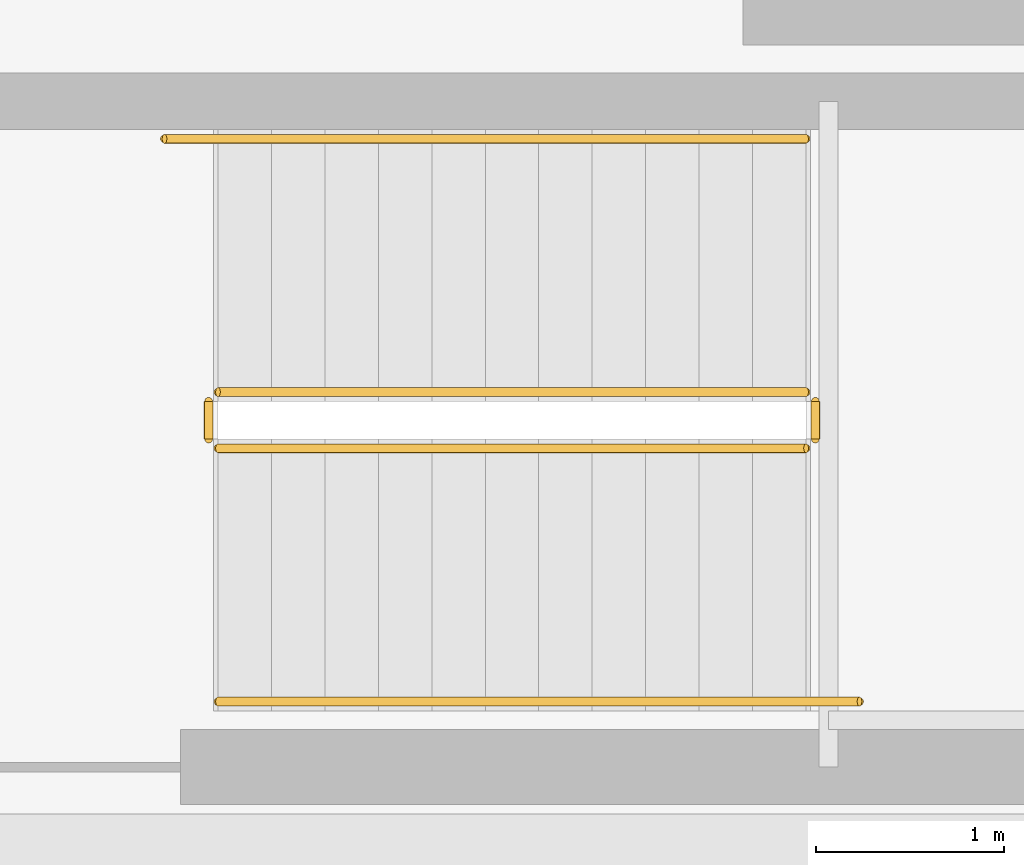
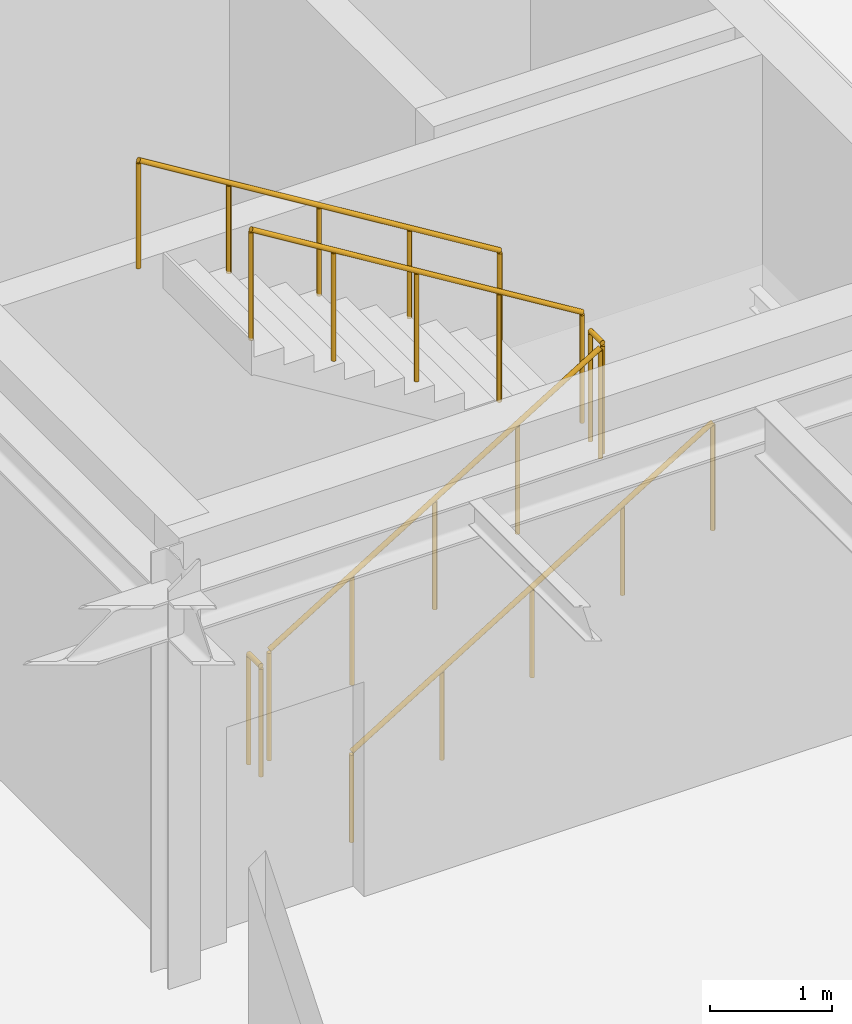
# One storey, part 26 of 27: 6 railings.
"""IFC4 building model written with IfcOpenShell, lengths in metres."""

from ifc_helpers import new_model, si_unit, direction, frame, origin, origin_2d, place, context, subcontext, project, spatial, circle, extrude, material, layer, layer_set, type_object, element, save


model = new_model("IFC4")

# Units and contexts
model_context = context("Model", 3, precision=1e-05, world=origin(), true_north=direction((0.0, 1.0)))
body_context = subcontext(model_context, "Body", "Model", "MODEL_VIEW")
ifc_project = project(units=[si_unit("LENGTHUNIT", "METRE"), si_unit("AREAUNIT", "SQUARE_METRE"), si_unit("VOLUMEUNIT", "CUBIC_METRE"), si_unit("PLANEANGLEUNIT", "RADIAN"), si_unit("MASSUNIT", "GRAM", prefix="KILO")], contexts=[model_context])

# Site, building, storey
site_placement = place(None, origin())
site = spatial("IfcSite", under=ifc_project, at=site_placement, CompositionType="ELEMENT")
building_placement = place(site_placement, origin())
building = spatial("IfcBuilding", under=site, at=building_placement, Name="Montealbar Specialist Clinic", CompositionType="ELEMENT")
storey_placement = place(building_placement, frame((0.0, 0.0, 18.0)))
storey = spatial("IfcBuildingStorey", under=building, at=storey_placement, Name="L04", CompositionType="ELEMENT", Elevation=18.0)

# Railings
ifc_material = material(Name="Steel S355", Category="steel")
ifc_layer_1 = layer(ifc_material, 0.050048828125, Name="Steel S355", Category="steel")
ifc_layer_set_1 = layer_set([ifc_layer_1], Name="Steel S355")
railing_type_1 = type_object("IfcRailingType", Name="RAIL-STAIR-BAL-1100", PredefinedType="BALUSTRADE", material=ifc_layer_set_1)
railing_1_placement = place(storey_placement, frame((92.85009765625, 29.10009765625, 0.175048828125)))
element("IfcRailing", 1, at=railing_1_placement, inside=storey, type_object=railing_type_1, Name="L04 ST-05 stair guard 1", PredefinedType="BALUSTRADE", context=body_context, shape_type="SweptSolid", body=[
    extrude(circle(Radius=0.02392578125, at=origin_2d()), frame((0.0, 0.0, 1.076171875), z_axis=(0.852166034122, 0.0, 0.523271488128), x_axis=(0.0, 1.0, 0.0)), (0.0, 0.0, 1.0), 3.678955078125),
    extrude(circle(Radius=0.02099609375, at=origin_2d()), frame((0.0, 0.0, -0.02490234375)), (0.0, 0.0, 1.0), 1.076904296875),
    extrude(circle(Radius=0.02099609375, at=origin_2d()), frame((0.78369140625, 0.0, 0.456298828125)), (0.0, 0.0, 1.0), 1.076904296875),
    extrude(circle(Radius=0.02099609375, at=origin_2d()), frame((1.5673828125, 0.0, 0.9375)), (0.0, 0.0, 1.0), 1.076904296875),
    extrude(circle(Radius=0.02099609375, at=origin_2d()), frame((2.351318359375, 0.0, 1.418701171875)), (0.0, 0.0, 1.0), 1.076904296875),
    extrude(circle(Radius=0.02099609375, at=origin_2d()), frame((3.135009765625, 0.0, 1.900146484375)), (0.0, 0.0, 1.0), 1.076904296875),
])
railing_2_placement = place(storey_placement, frame((96.034912109375, 29.14990234375, 2.10009765625)))
element("IfcRailing", 2, at=railing_2_placement, inside=storey, type_object=railing_type_1, Name="L04 ST-05 stair guard 2", PredefinedType="BALUSTRADE", context=body_context, shape_type="SweptSolid", body=[
    extrude(circle(Radius=0.02392578125, at=origin_2d()), frame((0.0, 0.0, 1.076171875), z_axis=(0.0, 1.0, 0.0), x_axis=(-1.0, 0.0, 0.0)), (0.0, 0.0, 1.0), 0.2001953125),
    extrude(circle(Radius=0.02099609375, at=origin_2d()), frame((0.0, 0.0, -0.02490234375)), (0.0, 0.0, 1.0), 1.076904296875),
    extrude(circle(Radius=0.02099609375, at=origin_2d()), frame((0.0, 0.2001953125, -0.02490234375)), (0.0, 0.0, 1.0), 1.076904296875),
])
railing_3_placement = place(storey_placement, frame((95.985107421875, 29.39990234375, 2.27490234375)))
element("IfcRailing", 3, at=railing_3_placement, inside=storey, type_object=railing_type_1, Name="L04 ST-05 stair guard 3", PredefinedType="BALUSTRADE", context=body_context, shape_type="SweptSolid", body=[
    extrude(circle(Radius=0.02392578125, at=origin_2d()), frame((0.0, 0.0, 1.076171875), z_axis=(-0.852166034122, 0.0, 0.523271488128), x_axis=(0.0, -1.0, 0.0)), (0.0, 0.0, 1.0), 3.678955078125),
    extrude(circle(Radius=0.02099609375, at=origin_2d()), frame((0.0, 0.0, -0.02490234375)), (0.0, 0.0, 1.0), 1.076904296875),
    extrude(circle(Radius=0.02099609375, at=origin_2d()), frame((-0.78369140625, 0.0, 0.456298828125)), (0.0, 0.0, 1.0), 1.076904296875),
    extrude(circle(Radius=0.02099609375, at=origin_2d()), frame((-1.5673828125, 0.0, 0.9375)), (0.0, 0.0, 1.0), 1.076904296875),
    extrude(circle(Radius=0.02099609375, at=origin_2d()), frame((-2.351318359375, 0.0, 1.418701171875)), (0.0, 0.0, 1.0), 1.076904296875),
    extrude(circle(Radius=0.02099609375, at=origin_2d()), frame((-3.135009765625, 0.0, 1.900146484375)), (0.0, 0.0, 1.0), 1.076904296875),
])
railing_4_placement = place(storey_placement, frame((92.800048828125, 29.14990234375, 0.0)))
element("IfcRailing", 4, at=railing_4_placement, inside=storey, type_object=railing_type_1, Name="L04 ST-05 stair guard 4", PredefinedType="BALUSTRADE", context=body_context, shape_type="SweptSolid", body=[
    extrude(circle(Radius=0.02392578125, at=origin_2d()), frame((0.0, 0.0, 1.076171875), z_axis=(0.0, 1.0, 0.0), x_axis=(-1.0, 0.0, 0.0)), (0.0, 0.0, 1.0), 0.2001953125),
    extrude(circle(Radius=0.02099609375, at=origin_2d()), frame((0.0, 0.0, -0.02490234375)), (0.0, 0.0, 1.0), 1.076904296875),
    extrude(circle(Radius=0.02099609375, at=origin_2d()), frame((0.0, 0.2001953125, -0.02490234375)), (0.0, 0.0, 1.0), 1.076904296875),
])
ifc_layer_2 = layer(ifc_material, 0.044921875, Name="Steel S355", Category="steel")
ifc_layer_set_2 = layer_set([ifc_layer_2], Name="Steel S355")
railing_type_2 = type_object("IfcRailingType", Name="RAIL-STAIR-HR-900", PredefinedType="HANDRAIL", material=ifc_layer_set_2)
railing_5_placement = place(storey_placement, frame((92.85009765625, 27.75, 0.175048828125)))
element("IfcRailing", 5, at=railing_5_placement, inside=storey, type_object=railing_type_2, Name="L04 ST-05 stair handrail 1", PredefinedType="HANDRAIL", context=body_context, shape_type="SweptSolid", body=[
    extrude(circle(Radius=0.02392578125, at=origin_2d()), frame((0.0, 0.0, 0.8759765625), z_axis=(0.852182171552, 0.0, 0.523245206847), x_axis=(0.0, 1.0, 0.0)), (0.0, 0.0, 1.0), 4.01318359375),
    extrude(circle(Radius=0.02099609375, at=origin_2d()), frame((0.0, 0.0, -0.02490234375)), (0.0, 0.0, 1.0), 0.876708984375),
    extrude(circle(Radius=0.02099609375, at=origin_2d()), frame((0.85498046875, 0.0, 0.5)), (0.0, 0.0, 1.0), 0.876708984375),
    extrude(circle(Radius=0.02099609375, at=origin_2d()), frame((1.7099609375, 0.0, 1.02490234375)), (0.0, 0.0, 1.0), 0.876708984375),
    extrude(circle(Radius=0.02099609375, at=origin_2d()), frame((2.56494140625, 0.0, 1.5498046875)), (0.0, 0.0, 1.0), 0.876708984375),
    extrude(circle(Radius=0.02099609375, at=origin_2d()), frame((3.419921875, 0.0, 1.89990234375)), (0.0, 0.0, 1.0), 1.0517578125),
])
railing_6_placement = place(storey_placement, frame((95.985107421875, 30.75, 2.27490234375)))
element("IfcRailing", 6, at=railing_6_placement, inside=storey, type_object=railing_type_2, Name="L04 ST-05 stair handrail 2", PredefinedType="HANDRAIL", context=body_context, shape_type="SweptSolid", body=[
    extrude(circle(Radius=0.02392578125, at=origin_2d()), frame((0.0, 0.0, 0.8759765625), z_axis=(-0.852171701593, 0.0, 0.523262258341), x_axis=(0.0, -1.0, 0.0)), (0.0, 0.0, 1.0), 4.013427734375),
    extrude(circle(Radius=0.02099609375, at=origin_2d()), frame((0.0, 0.0, -0.02490234375)), (0.0, 0.0, 1.0), 0.876708984375),
    extrude(circle(Radius=0.02099609375, at=origin_2d()), frame((-0.85498046875, 0.0, 0.5)), (0.0, 0.0, 1.0), 0.876708984375),
    extrude(circle(Radius=0.02099609375, at=origin_2d()), frame((-1.7099609375, 0.0, 1.025146484375)), (0.0, 0.0, 1.0), 0.876708984375),
    extrude(circle(Radius=0.02099609375, at=origin_2d()), frame((-2.565185546875, 0.0, 1.550048828125)), (0.0, 0.0, 1.0), 0.876708984375),
    extrude(circle(Radius=0.02099609375, at=origin_2d()), frame((-3.420166015625, 0.0, 1.900146484375)), (0.0, 0.0, 1.0), 1.0517578125),
])

save(model, "model.ifc")
